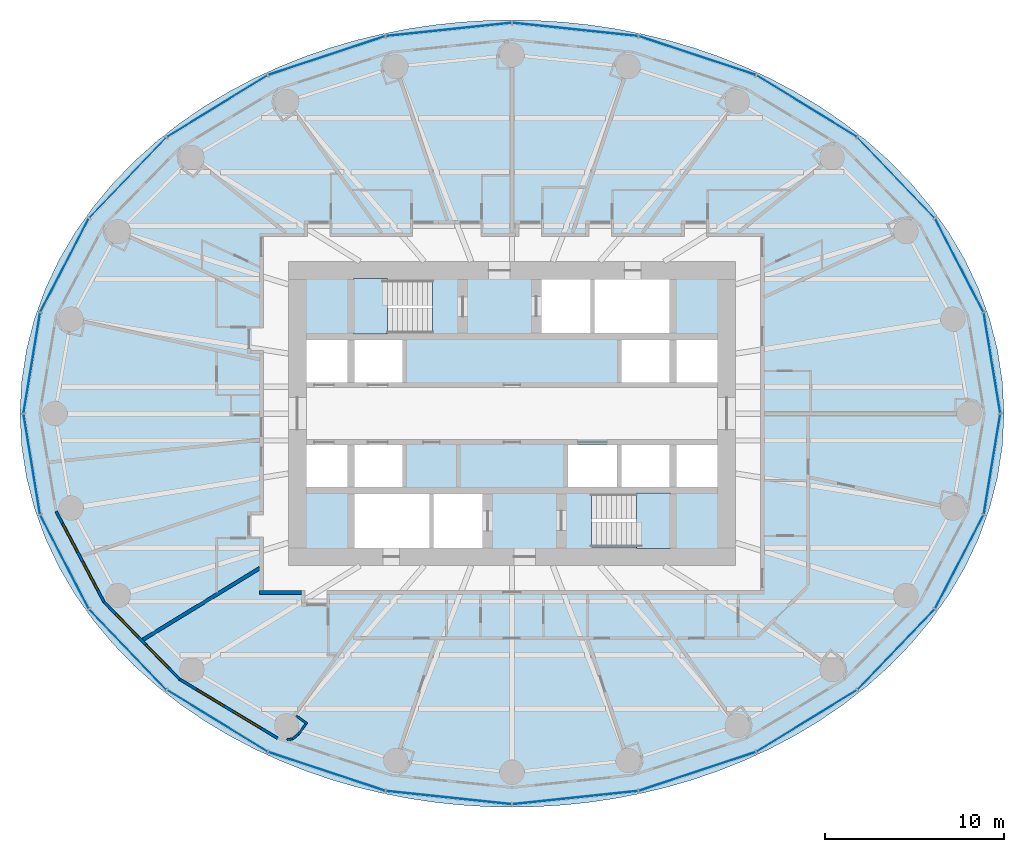
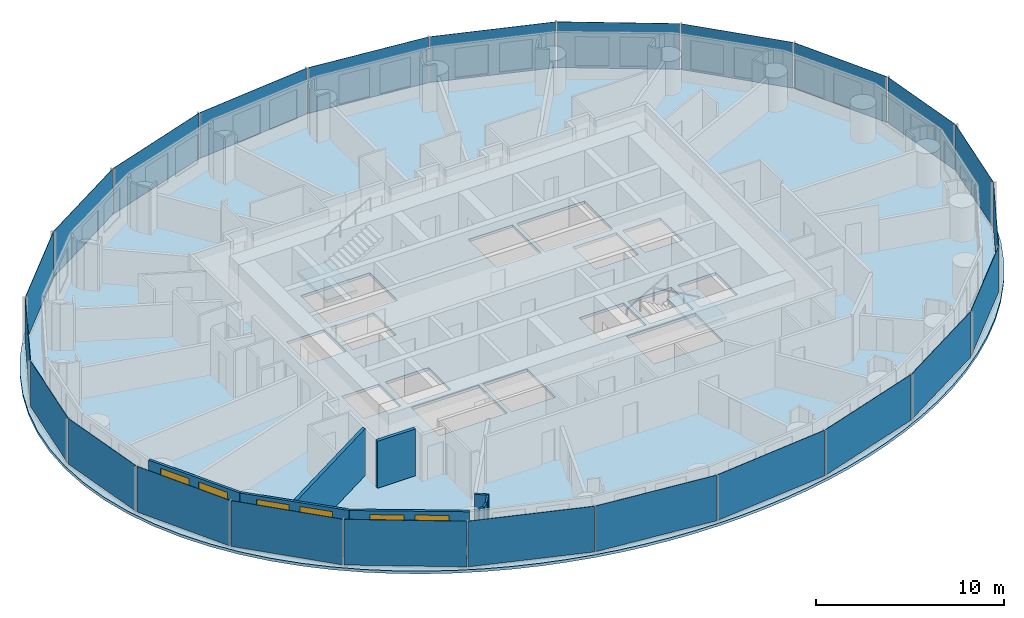
# One storey, part 5 of 14: 24 plates, 9 walls, 6 windows, 3 slabs, 6 openings, 6 elements without a shape of their own.
"""IFC4 building model written with IfcOpenShell, lengths in metres."""

from ifc_helpers import new_model, si_unit, direction, frame, frame_2d, origin, origin_2d, place, context, subcontext, project, spatial, polyline, rectangle, outline, extrude, material, layer, layer_set, type_object, element, fill, aggregate, save


model = new_model("IFC4")

# Units and contexts
model_context = context("Model", 3, precision=1e-05, world=origin(), true_north=direction((0.0, 1.0)))
body_context = subcontext(model_context, "Body", "Model", "MODEL_VIEW")
ifc_project = project(units=[si_unit("LENGTHUNIT", "METRE"), si_unit("AREAUNIT", "SQUARE_METRE"), si_unit("VOLUMEUNIT", "CUBIC_METRE"), si_unit("PLANEANGLEUNIT", "RADIAN"), si_unit("MASSUNIT", "GRAM", prefix="KILO")], contexts=[model_context])

# Site, building, storey
site_placement = place(None, origin())
site = spatial("IfcSite", under=ifc_project, at=site_placement, CompositionType="ELEMENT")
building_placement = place(site_placement, origin())
building = spatial("IfcBuilding", under=site, at=building_placement, Name="Hankou Lantern Tower", CompositionType="ELEMENT")
storey_placement = place(building_placement, frame((0.0, 0.0, 90.300048828125)))
storey = spatial("IfcBuildingStorey", under=building, at=storey_placement, Name="L23", CompositionType="ELEMENT", Elevation=90.300048828125)

# Curtain wall, plates
ifc_material_1 = material(Name="Glass, dark grey tinted laminated", Category="glass")
curtain_wall_type = type_object("IfcCurtainWallType", Name="CWA OUTER SKIN LOW-RISE", PredefinedType="USERDEFINED", material=ifc_material_1)
curtain_wall_1_placement = place(storey_placement, origin())
curtain_wall_1 = element("IfcCurtainWall", 1, at=curtain_wall_1_placement, inside=storey, type_object=curtain_wall_type, Name="CWA L23 OS1", ObjectType="OUTER SKIN LOW-RISE", PredefinedType="USERDEFINED")
ifc_material_2 = material(Name="Glass, dark grey tinted laminated", Category="glass")
ifc_layer_1 = layer(ifc_material_2, 0.02392578125)
ifc_layer_set_1 = layer_set([ifc_layer_1], Name="Glass, dark grey tinted laminated")
plate_type = type_object("IfcPlateType", Name="PN1 OUTER SKIN GLASS PANEL", PredefinedType="CURTAIN_PANEL", material=ifc_layer_set_1)
plate_1_placement = place(storey_placement, frame((26.8349609375, 2.826416015625, 0.080078125), z_axis=(0.0, 0.0, 1.0), x_axis=(-0.162381515188, 0.986728049427, 0.0)))
plate_1 = element("IfcPlate", 2, at=plate_1_placement, type_object=plate_type, Name="CWA glass panel 1", PredefinedType="CURTAIN_PANEL", context=body_context, shape_type="SweptSolid", body=[
    extrude(rectangle(XDim=5.648681640625, YDim=0.02392578125, at=origin_2d()), origin(), (0.0, 0.0, 1.0), 2.969970703125),
])
plate_2_placement = place(storey_placement, frame((25.006103515625, 8.286376953125, 0.080078125), z_axis=(0.0, 0.0, 1.0), x_axis=(-0.459791091957, 0.888027112062, 0.0)))
plate_2 = element("IfcPlate", 3, at=plate_2_placement, type_object=plate_type, Name="CWA glass panel 2", PredefinedType="CURTAIN_PANEL", context=body_context, shape_type="SweptSolid", body=[
    extrude(rectangle(XDim=5.8515625, YDim=0.02392578125, at=origin_2d()), origin(), (0.0, 0.0, 1.0), 2.969970703125),
])
plate_3_placement = place(storey_placement, frame((21.47314453125, 13.181640625, 0.080078125), z_axis=(0.0, 0.0, 1.0), x_axis=(-0.692215809936, 0.721690565599, 0.0)))
plate_3 = element("IfcPlate", 4, at=plate_3_placement, type_object=plate_type, Name="CWA glass panel 3", PredefinedType="CURTAIN_PANEL", context=body_context, shape_type="SweptSolid", body=[
    extrude(rectangle(XDim=6.1875, YDim=0.02392578125, at=origin_2d()), origin(), (0.0, 0.0, 1.0), 2.969970703125),
])
plate_4_placement = place(storey_placement, frame((16.47705078125, 17.1787109375, 0.080078125), z_axis=(0.0, 0.0, 1.0), x_axis=(-0.852237151549, 0.523155653242, 0.0)))
plate_4 = element("IfcPlate", 5, at=plate_4_placement, type_object=plate_type, Name="CWA glass panel 4", PredefinedType="CURTAIN_PANEL", context=body_context, shape_type="SweptSolid", body=[
    extrude(rectangle(XDim=6.554443359375, YDim=0.02392578125, at=origin_2d()), origin(), (0.0, 0.0, 1.0), 2.969970703125),
])
plate_5_placement = place(storey_placement, frame((10.35791015625, 20.0048828125, 0.080078125), z_axis=(0.0, 0.0, 1.0), x_axis=(-0.949240677293, 0.31455068999, 0.0)))
plate_5 = element("IfcPlate", 6, at=plate_5_placement, type_object=plate_type, Name="CWA glass panel 5", PredefinedType="CURTAIN_PANEL", context=body_context, shape_type="SweptSolid", body=[
    extrude(rectangle(XDim=6.856201171875, YDim=0.02392578125, at=origin_2d()), origin(), (0.0, 0.0, 1.0), 2.969970703125),
])
plate_6_placement = place(storey_placement, frame((3.532958984375, 21.468017578125, 0.080078125), z_axis=(0.0, 0.0, 1.0), x_axis=(-0.994499359107, 0.104742659579, 0.0)))
plate_6 = element("IfcPlate", 7, at=plate_6_placement, type_object=plate_type, Name="CWA glass panel 6", PredefinedType="CURTAIN_PANEL", context=body_context, shape_type="SweptSolid", body=[
    extrude(rectangle(XDim=7.02490234375, YDim=0.02392578125, at=origin_2d()), origin(), (0.0, 0.0, 1.0), 2.969970703125),
])
aggregate(curtain_wall_1, [plate_1, plate_2, plate_3, plate_4, plate_5, plate_6])

curtain_wall_2_placement = place(storey_placement, origin())
curtain_wall_2 = element("IfcCurtainWall", 8, at=curtain_wall_2_placement, inside=storey, type_object=curtain_wall_type, Name="CWA L23 OS2", ObjectType="OUTER SKIN LOW-RISE", PredefinedType="USERDEFINED")
plate_7_placement = place(storey_placement, frame((-3.532958984375, 21.468017578125, 0.080078125), z_axis=(0.0, 0.0, 1.0), x_axis=(-0.994499359107, -0.104742659579, 0.0)))
plate_7 = element("IfcPlate", 9, at=plate_7_placement, type_object=plate_type, Name="CWA glass panel 1", PredefinedType="CURTAIN_PANEL", context=body_context, shape_type="SweptSolid", body=[
    extrude(rectangle(XDim=7.02490234375, YDim=0.02392578125, at=origin_2d()), origin(), (0.0, 0.0, 1.0), 2.969970703125),
])
plate_8_placement = place(storey_placement, frame((-10.35791015625, 20.0048828125, 0.080078125), z_axis=(0.0, 0.0, 1.0), x_axis=(-0.949240677293, -0.31455068999, 0.0)))
plate_8 = element("IfcPlate", 10, at=plate_8_placement, type_object=plate_type, Name="CWA glass panel 2", PredefinedType="CURTAIN_PANEL", context=body_context, shape_type="SweptSolid", body=[
    extrude(rectangle(XDim=6.856201171875, YDim=0.02392578125, at=origin_2d()), origin(), (0.0, 0.0, 1.0), 2.969970703125),
])
plate_9_placement = place(storey_placement, frame((-16.47705078125, 17.1787109375, 0.080078125), z_axis=(0.0, 0.0, 1.0), x_axis=(-0.852237151549, -0.523155653242, 0.0)))
plate_9 = element("IfcPlate", 11, at=plate_9_placement, type_object=plate_type, Name="CWA glass panel 3", PredefinedType="CURTAIN_PANEL", context=body_context, shape_type="SweptSolid", body=[
    extrude(rectangle(XDim=6.554443359375, YDim=0.02392578125, at=origin_2d()), origin(), (0.0, 0.0, 1.0), 2.969970703125),
])
plate_10_placement = place(storey_placement, frame((-21.47314453125, 13.181640625, 0.080078125), z_axis=(0.0, 0.0, 1.0), x_axis=(-0.692215809936, -0.721690565599, 0.0)))
plate_10 = element("IfcPlate", 12, at=plate_10_placement, type_object=plate_type, Name="CWA glass panel 4", PredefinedType="CURTAIN_PANEL", context=body_context, shape_type="SweptSolid", body=[
    extrude(rectangle(XDim=6.1875, YDim=0.02392578125, at=origin_2d()), origin(), (0.0, 0.0, 1.0), 2.969970703125),
])
plate_11_placement = place(storey_placement, frame((-25.006103515625, 8.286376953125, 0.080078125), z_axis=(0.0, 0.0, 1.0), x_axis=(-0.459791091957, -0.888027112062, 0.0)))
plate_11 = element("IfcPlate", 13, at=plate_11_placement, type_object=plate_type, Name="CWA glass panel 5", PredefinedType="CURTAIN_PANEL", context=body_context, shape_type="SweptSolid", body=[
    extrude(rectangle(XDim=5.8515625, YDim=0.02392578125, at=origin_2d()), origin(), (0.0, 0.0, 1.0), 2.969970703125),
])
plate_12_placement = place(storey_placement, frame((-26.8349609375, 2.826416015625, 0.080078125), z_axis=(0.0, 0.0, 1.0), x_axis=(-0.162381515188, -0.986728049427, 0.0)))
plate_12 = element("IfcPlate", 14, at=plate_12_placement, type_object=plate_type, Name="CWA glass panel 6", PredefinedType="CURTAIN_PANEL", context=body_context, shape_type="SweptSolid", body=[
    extrude(rectangle(XDim=5.648681640625, YDim=0.02392578125, at=origin_2d()), origin(), (0.0, 0.0, 1.0), 2.969970703125),
])
aggregate(curtain_wall_2, [plate_7, plate_8, plate_9, plate_10, plate_11, plate_12])

curtain_wall_3_placement = place(storey_placement, origin())
curtain_wall_3 = element("IfcCurtainWall", 15, at=curtain_wall_3_placement, inside=storey, type_object=curtain_wall_type, Name="CWA L23 OS3", ObjectType="OUTER SKIN LOW-RISE", PredefinedType="USERDEFINED")
plate_13_placement = place(storey_placement, frame((-26.8349609375, -2.826416015625, 0.080078125), z_axis=(0.0, 0.0, 1.0), x_axis=(0.162381515188, -0.986728049427, 0.0)))
plate_13 = element("IfcPlate", 16, at=plate_13_placement, type_object=plate_type, Name="CWA glass panel 1", PredefinedType="CURTAIN_PANEL", context=body_context, shape_type="SweptSolid", body=[
    extrude(rectangle(XDim=5.648681640625, YDim=0.02392578125, at=origin_2d()), origin(), (0.0, 0.0, 1.0), 2.969970703125),
])
plate_14_placement = place(storey_placement, frame((-25.006103515625, -8.286376953125, 0.080078125), z_axis=(0.0, 0.0, 1.0), x_axis=(0.459791091957, -0.888027112062, 0.0)))
plate_14 = element("IfcPlate", 17, at=plate_14_placement, type_object=plate_type, Name="CWA glass panel 2", PredefinedType="CURTAIN_PANEL", context=body_context, shape_type="SweptSolid", body=[
    extrude(rectangle(XDim=5.8515625, YDim=0.02392578125, at=origin_2d()), origin(), (0.0, 0.0, 1.0), 2.969970703125),
])
plate_15_placement = place(storey_placement, frame((-21.47314453125, -13.181640625, 0.080078125), z_axis=(0.0, 0.0, 1.0), x_axis=(0.692215809936, -0.721690565599, 0.0)))
plate_15 = element("IfcPlate", 18, at=plate_15_placement, type_object=plate_type, Name="CWA glass panel 3", PredefinedType="CURTAIN_PANEL", context=body_context, shape_type="SweptSolid", body=[
    extrude(rectangle(XDim=6.1875, YDim=0.02392578125, at=origin_2d()), origin(), (0.0, 0.0, 1.0), 2.969970703125),
])
plate_16_placement = place(storey_placement, frame((-16.47705078125, -17.1787109375, 0.080078125), z_axis=(0.0, 0.0, 1.0), x_axis=(0.852237151549, -0.523155653242, 0.0)))
plate_16 = element("IfcPlate", 19, at=plate_16_placement, type_object=plate_type, Name="CWA glass panel 4", PredefinedType="CURTAIN_PANEL", context=body_context, shape_type="SweptSolid", body=[
    extrude(rectangle(XDim=6.554443359375, YDim=0.02392578125, at=origin_2d()), origin(), (0.0, 0.0, 1.0), 2.969970703125),
])
plate_17_placement = place(storey_placement, frame((-10.35791015625, -20.0048828125, 0.080078125), z_axis=(0.0, 0.0, 1.0), x_axis=(0.949240677293, -0.31455068999, 0.0)))
plate_17 = element("IfcPlate", 20, at=plate_17_placement, type_object=plate_type, Name="CWA glass panel 5", PredefinedType="CURTAIN_PANEL", context=body_context, shape_type="SweptSolid", body=[
    extrude(rectangle(XDim=6.856201171875, YDim=0.02392578125, at=origin_2d()), origin(), (0.0, 0.0, 1.0), 2.969970703125),
])
plate_18_placement = place(storey_placement, frame((-3.532958984375, -21.468017578125, 0.080078125), z_axis=(0.0, 0.0, 1.0), x_axis=(0.994499359107, -0.104742659579, 0.0)))
plate_18 = element("IfcPlate", 21, at=plate_18_placement, type_object=plate_type, Name="CWA glass panel 6", PredefinedType="CURTAIN_PANEL", context=body_context, shape_type="SweptSolid", body=[
    extrude(rectangle(XDim=7.02490234375, YDim=0.02392578125, at=origin_2d()), origin(), (0.0, 0.0, 1.0), 2.969970703125),
])
aggregate(curtain_wall_3, [plate_13, plate_14, plate_15, plate_16, plate_17, plate_18])

curtain_wall_4_placement = place(storey_placement, origin())
curtain_wall_4 = element("IfcCurtainWall", 22, at=curtain_wall_4_placement, inside=storey, type_object=curtain_wall_type, Name="CWA L23 OS4", ObjectType="OUTER SKIN LOW-RISE", PredefinedType="USERDEFINED")
plate_19_placement = place(storey_placement, frame((3.532958984375, -21.468017578125, 0.080078125), z_axis=(0.0, 0.0, 1.0), x_axis=(0.994499359107, 0.104742659579, 0.0)))
plate_19 = element("IfcPlate", 23, at=plate_19_placement, type_object=plate_type, Name="CWA glass panel 1", PredefinedType="CURTAIN_PANEL", context=body_context, shape_type="SweptSolid", body=[
    extrude(rectangle(XDim=7.02490234375, YDim=0.02392578125, at=origin_2d()), origin(), (0.0, 0.0, 1.0), 2.969970703125),
])
plate_20_placement = place(storey_placement, frame((10.35791015625, -20.0048828125, 0.080078125), z_axis=(0.0, 0.0, 1.0), x_axis=(0.949240677293, 0.31455068999, 0.0)))
plate_20 = element("IfcPlate", 24, at=plate_20_placement, type_object=plate_type, Name="CWA glass panel 2", PredefinedType="CURTAIN_PANEL", context=body_context, shape_type="SweptSolid", body=[
    extrude(rectangle(XDim=6.856201171875, YDim=0.02392578125, at=origin_2d()), origin(), (0.0, 0.0, 1.0), 2.969970703125),
])
plate_21_placement = place(storey_placement, frame((16.47705078125, -17.1787109375, 0.080078125), z_axis=(0.0, 0.0, 1.0), x_axis=(0.852237151549, 0.523155653242, 0.0)))
plate_21 = element("IfcPlate", 25, at=plate_21_placement, type_object=plate_type, Name="CWA glass panel 3", PredefinedType="CURTAIN_PANEL", context=body_context, shape_type="SweptSolid", body=[
    extrude(rectangle(XDim=6.554443359375, YDim=0.02392578125, at=origin_2d()), origin(), (0.0, 0.0, 1.0), 2.969970703125),
])
plate_22_placement = place(storey_placement, frame((21.47314453125, -13.181640625, 0.080078125), z_axis=(0.0, 0.0, 1.0), x_axis=(0.692215809936, 0.721690565599, 0.0)))
plate_22 = element("IfcPlate", 26, at=plate_22_placement, type_object=plate_type, Name="CWA glass panel 4", PredefinedType="CURTAIN_PANEL", context=body_context, shape_type="SweptSolid", body=[
    extrude(rectangle(XDim=6.1875, YDim=0.02392578125, at=origin_2d()), origin(), (0.0, 0.0, 1.0), 2.969970703125),
])
plate_23_placement = place(storey_placement, frame((25.006103515625, -8.286376953125, 0.080078125), z_axis=(0.0, 0.0, 1.0), x_axis=(0.459791091957, 0.888027112062, 0.0)))
plate_23 = element("IfcPlate", 27, at=plate_23_placement, type_object=plate_type, Name="CWA glass panel 5", PredefinedType="CURTAIN_PANEL", context=body_context, shape_type="SweptSolid", body=[
    extrude(rectangle(XDim=5.8515625, YDim=0.02392578125, at=origin_2d()), origin(), (0.0, 0.0, 1.0), 2.969970703125),
])
plate_24_placement = place(storey_placement, frame((26.8349609375, -2.826416015625, 0.080078125), z_axis=(0.0, 0.0, 1.0), x_axis=(0.162381515188, 0.986728049427, 0.0)))
plate_24 = element("IfcPlate", 28, at=plate_24_placement, type_object=plate_type, Name="CWA glass panel 6", PredefinedType="CURTAIN_PANEL", context=body_context, shape_type="SweptSolid", body=[
    extrude(rectangle(XDim=5.648681640625, YDim=0.02392578125, at=origin_2d()), origin(), (0.0, 0.0, 1.0), 2.969970703125),
])
aggregate(curtain_wall_4, [plate_19, plate_20, plate_21, plate_22, plate_23, plate_24])

# Slab
ifc_material_3 = material(Name="Concrete C50", Category="concrete")
ifc_layer_2 = layer(ifc_material_3, 0.179931640625)
ifc_layer_set_2 = layer_set([ifc_layer_2], Name="Concrete C50")
slab_type_1 = type_object("IfcSlabType", Name="S1 CONCRETE FLOOR SLAB 180", PredefinedType="FLOOR", material=ifc_layer_set_2)
slab_1_placement = place(storey_placement, frame((0.0, 0.0, -0.179931640625)))
element("IfcSlab", 29, at=slab_1_placement, inside=storey, type_object=slab_type_1, Name="Floor slab L23", PredefinedType="FLOOR", context=body_context, shape_type="SweptSolid", body=[
    extrude(outline(polyline([(27.5, 0.0), (27.408203125, 1.79638671875), (27.135009765625, 3.572509765625), (26.6875, 5.308349609375), (26.076171875, 6.987060546875), (25.3154296875, 8.593505859375), (24.420654296875, 10.115478515625), (23.40966796875, 11.54443359375), (22.29931640625, 12.87451171875), (21.1064453125, 14.102783203125), (19.846435546875, 15.228759765625), (18.533447265625, 16.25341796875), (17.17919921875, 17.17919921875), (15.794189453125, 18.009765625), (14.38671875, 18.749267578125), (12.964111328125, 19.402099609375), (11.53125, 19.972412109375), (10.09228515625, 20.46484375), (8.650146484375, 20.88330078125), (7.20703125, 21.23095703125), (5.763916015625, 21.51123046875), (4.32177734375, 21.7265625), (2.88037109375, 21.87890625), (1.43994140625, 21.9697265625), (0.0, 22.0), (-1.43994140625, 21.9697265625), (-2.88037109375, 21.87890625), (-4.32177734375, 21.7265625), (-5.763916015625, 21.51123046875), (-7.20703125, 21.23095703125), (-8.650146484375, 20.88330078125), (-10.09228515625, 20.46484375), (-11.53125, 19.972412109375), (-12.964111328125, 19.402099609375), (-14.38671875, 18.749267578125), (-15.794189453125, 18.009765625), (-17.17919921875, 17.17919921875), (-18.533447265625, 16.25341796875), (-19.846435546875, 15.228759765625), (-21.1064453125, 14.102783203125), (-22.29931640625, 12.87451171875), (-23.40966796875, 11.54443359375), (-24.420654296875, 10.115478515625), (-25.3154296875, 8.593505859375), (-26.076171875, 6.987060546875), (-26.6875, 5.308349609375), (-27.135009765625, 3.572509765625), (-27.408203125, 1.79638671875), (-27.5, 0.0), (-27.408203125, -1.79638671875), (-27.135009765625, -3.572509765625), (-26.6875, -5.308349609375), (-26.076171875, -6.987060546875), (-25.3154296875, -8.593505859375), (-24.420654296875, -10.115478515625), (-23.40966796875, -11.54443359375), (-22.29931640625, -12.87451171875), (-21.1064453125, -14.102783203125), (-19.846435546875, -15.228759765625), (-18.533447265625, -16.25341796875), (-17.17919921875, -17.17919921875), (-15.794189453125, -18.009765625), (-14.38671875, -18.749267578125), (-12.964111328125, -19.402099609375), (-11.53125, -19.972412109375), (-10.09228515625, -20.46484375), (-8.650146484375, -20.88330078125), (-7.20703125, -21.23095703125), (-5.763916015625, -21.51123046875), (-4.32177734375, -21.7265625), (-2.88037109375, -21.87890625), (-1.43994140625, -21.9697265625), (0.0, -22.0), (1.43994140625, -21.9697265625), (2.88037109375, -21.87890625), (4.32177734375, -21.7265625), (5.763916015625, -21.51123046875), (7.20703125, -21.23095703125), (8.650146484375, -20.88330078125), (10.09228515625, -20.46484375), (11.53125, -19.972412109375), (12.964111328125, -19.402099609375), (14.38671875, -18.749267578125), (15.794189453125, -18.009765625), (17.17919921875, -17.17919921875), (18.533447265625, -16.25341796875), (19.846435546875, -15.228759765625), (21.1064453125, -14.102783203125), (22.29931640625, -12.87451171875), (23.40966796875, -11.54443359375), (24.420654296875, -10.115478515625), (25.3154296875, -8.593505859375), (26.076171875, -6.987060546875), (26.6875, -5.308349609375), (27.135009765625, -3.572509765625), (27.408203125, -1.79638671875), (27.5, 0.0)]), holes=[polyline([(-11.5, 4.10009765625), (-9.199951171875, 4.10009765625), (-9.199951171875, 1.75), (-11.5, 1.75), (-11.5, 4.10009765625)]), polyline([(-8.800048828125, 4.10009765625), (-6.125, 4.10009765625), (-6.125, 1.75), (-8.800048828125, 1.75), (-8.800048828125, 4.10009765625)]), polyline([(6.125, 4.10009765625), (8.800048828125, 4.10009765625), (8.800048828125, 1.75), (6.125, 1.75), (6.125, 4.10009765625)]), polyline([(9.199951171875, 4.10009765625), (11.5, 4.10009765625), (11.5, 1.75), (9.199951171875, 1.75), (9.199951171875, 4.10009765625)]), polyline([(-11.5, -1.75), (-9.199951171875, -1.75), (-9.199951171875, -4.10009765625), (-11.5, -4.10009765625), (-11.5, -1.75)]), polyline([(-8.800048828125, -1.75), (-6.125, -1.75), (-6.125, -4.10009765625), (-8.800048828125, -4.10009765625), (-8.800048828125, -1.75)]), polyline([(3.125, -1.75), (5.875, -1.75), (5.875, -4.10009765625), (3.125, -4.10009765625), (3.125, -1.75)]), polyline([(6.125, -1.75), (8.800048828125, -1.75), (8.800048828125, -4.10009765625), (6.125, -4.10009765625), (6.125, -1.75)]), polyline([(9.199951171875, -1.75), (11.5, -1.75), (11.5, -4.10009765625), (9.199951171875, -4.10009765625), (9.199951171875, -1.75)]), polyline([(1.64990234375, 7.5), (4.375, 7.5), (4.375, 4.5), (1.64990234375, 4.5), (1.64990234375, 7.5)]), polyline([(-4.375, -4.5), (-1.64990234375, -4.5), (-1.64990234375, -7.5), (-4.375, -7.5), (-4.375, -4.5)]), polyline([(-8.699951171875, 7.449951171875), (-4.449951171875, 7.449951171875), (-4.449951171875, 4.5), (-8.699951171875, 4.5), (-8.699951171875, 7.449951171875)]), polyline([(4.449951171875, -4.5), (8.699951171875, -4.5), (8.699951171875, -7.449951171875), (4.449951171875, -7.449951171875), (4.449951171875, -4.5)]), polyline([(4.625, 7.5), (8.800048828125, 7.5), (8.800048828125, 4.5), (4.625, 4.5), (4.625, 7.5)]), polyline([(-8.800048828125, -4.5), (-4.625, -4.5), (-4.625, -7.5), (-8.800048828125, -7.5), (-8.800048828125, -4.5)])]), origin(), (0.0, 0.0, 1.0), 0.179931640625),
])

# Stair, slab
ifc_material_4 = material(Name="Concrete C40", Category="concrete")
stair_type = type_object("IfcStairType", Name="ST33 CORE STAIR 3300 RISE", PredefinedType="HALF_TURN_STAIR", material=ifc_material_4)
stair_1_placement = place(storey_placement, origin())
stair_1 = element("IfcStair", 30, at=stair_1_placement, inside=storey, type_object=stair_type, Name="Stair STA L23", PredefinedType="HALF_TURN_STAIR")
ifc_material_5 = material(Name="Concrete C40", Category="concrete")
ifc_layer_3 = layer(ifc_material_5, 0.199951171875)
ifc_layer_set_3 = layer_set([ifc_layer_3], Name="Concrete C40")
slab_type_2 = type_object("IfcSlabType", Name="SL1 STAIR LANDING 200", PredefinedType="LANDING", material=ifc_layer_set_3)
slab_2_placement = place(storey_placement, frame((0.0, 0.0, 1.371337890625)))
slab_2 = element("IfcSlab", 31, at=slab_2_placement, type_object=slab_type_2, Name="STA landing 1", PredefinedType="LANDING", context=body_context, shape_type="SweptSolid", body=[
    extrude(outline(polyline([(-8.85009765625, 4.449951171875), (-6.949951171875, 4.449951171875), (-6.949951171875, 7.550048828125), (-8.85009765625, 7.550048828125), (-8.85009765625, 4.449951171875)])), origin(), (0.0, 0.0, 1.0), 0.199951171875),
])
aggregate(stair_1, [slab_2])

stair_2_placement = place(storey_placement, origin())
stair_2 = element("IfcStair", 32, at=stair_2_placement, inside=storey, type_object=stair_type, Name="Stair STB L23", PredefinedType="HALF_TURN_STAIR")
slab_3_placement = place(storey_placement, frame((0.0, 0.0, 1.371337890625)))
slab_3 = element("IfcSlab", 33, at=slab_3_placement, type_object=slab_type_2, Name="STB landing 1", PredefinedType="LANDING", context=body_context, shape_type="SweptSolid", body=[
    extrude(outline(polyline([(8.85009765625, -4.449951171875), (6.949951171875, -4.449951171875), (6.949951171875, -7.550048828125), (8.85009765625, -7.550048828125), (8.85009765625, -4.449951171875)])), origin(), (0.0, 0.0, 1.0), 0.199951171875),
])
aggregate(stair_2, [slab_3])

# Wall, openings, windows
ifc_material_6 = material(Name="Aluminium spandrel panel on steel studs", Category="steel")
ifc_layer_4 = layer(ifc_material_6, 0.14990234375)
ifc_layer_set_4 = layer_set([ifc_layer_4], Name="Aluminium spandrel panel on steel studs")
wall_type_1 = type_object("IfcWallType", Name="EW1 INNER SKIN WALL 150", PredefinedType="ELEMENTEDWALL", material=ifc_layer_set_4)
wall_1_placement = place(storey_placement, frame((-25.482421875, -5.46240234375, 0.0), z_axis=(0.0, 0.0, 1.0), x_axis=(0.467296867008, -0.884100468321, 0.0)))
wall_1 = element("IfcWall", 34, at=wall_1_placement, inside=storey, type_object=wall_type_1, Name="Inner skin R14-R15 L23", PredefinedType="ELEMENTEDWALL", context=body_context, shape_type="SweptSolid", body=[
    extrude(rectangle(XDim=5.734375, YDim=0.14990234375, at=frame_2d((2.8671875, 0.0))), origin(), (0.0, 0.0, 1.0), 3.050048828125),
])
opening_1_placement = place(wall_1_placement, frame((0.76708984375, 0.0, 0.89990234375)))
opening_1 = element("IfcOpeningElement", 35, at=opening_1_placement, cuts=wall_1, Name="Opening W1", PredefinedType="OPENING", context=body_context, shape_type="SweptSolid", body=[
    extrude(rectangle(XDim=1.800048828125, YDim=1.89990234375, at=frame_2d((0.89990234375, 0.949951171875))), frame((0.0, 0.0849609375, 0.0), z_axis=(0.0, -1.0, 0.0), x_axis=(1.0, 0.0, 0.0)), (0.0, 0.0, 1.0), 0.169921875),
])
opening_2_placement = place(wall_1_placement, frame((3.167236328125, 0.0, 0.89990234375)))
opening_2 = element("IfcOpeningElement", 36, at=opening_2_placement, cuts=wall_1, Name="Opening W1", PredefinedType="OPENING", context=body_context, shape_type="SweptSolid", body=[
    extrude(rectangle(XDim=1.800048828125, YDim=1.89990234375, at=frame_2d((0.89990234375, 0.949951171875))), frame((0.0, 0.0849609375, 0.0), z_axis=(0.0, -1.0, 0.0), x_axis=(1.0, 0.0, 0.0)), (0.0, 0.0, 1.0), 0.169921875),
])
ifc_material_7 = material(Name="Aluminium framed double glazed window", Category="aluminium")
window_type = type_object("IfcWindowType", Name="W1 GUEST ROOM WINDOW 1800X1900", PartitioningType="DOUBLE_PANEL_VERTICAL", PredefinedType="WINDOW", material=ifc_material_7)
window_1_placement = place(opening_1_placement, origin())
window_1 = element("IfcWindow", 37, at=window_1_placement, inside=storey, type_object=window_type, Name="Window R14.1 L23", OverallHeight=1.89990234375, OverallWidth=1.800048828125, PartitioningType="SINGLE_PANEL", PredefinedType="WINDOW", context=body_context, shape_type="SweptSolid", body=[
    extrude(rectangle(XDim=1.800048828125, YDim=1.89990234375, at=frame_2d((0.89990234375, 0.949951171875))), frame((0.0, 0.030029296875, 0.0), z_axis=(0.0, -1.0, 0.0), x_axis=(1.0, 0.0, 0.0)), (0.0, 0.0, 1.0), 0.06005859375),
])
fill(opening_1, window_1)
window_2_placement = place(opening_2_placement, origin())
window_2 = element("IfcWindow", 38, at=window_2_placement, inside=storey, type_object=window_type, Name="Window R14.2 L23", OverallHeight=1.89990234375, OverallWidth=1.800048828125, PartitioningType="SINGLE_PANEL", PredefinedType="WINDOW", context=body_context, shape_type="SweptSolid", body=[
    extrude(rectangle(XDim=1.800048828125, YDim=1.89990234375, at=frame_2d((0.89990234375, 0.949951171875))), frame((0.0, 0.030029296875, 0.0), z_axis=(0.0, -1.0, 0.0), x_axis=(1.0, 0.0, 0.0)), (0.0, 0.0, 1.0), 0.06005859375),
])
fill(opening_2, window_2)

wall_2_placement = place(storey_placement, frame((-22.802734375, -10.5322265625, 0.0), z_axis=(0.0, 0.0, 1.0), x_axis=(0.699602905915, -0.714531856557, 0.0)))
wall_2 = element("IfcWall", 39, at=wall_2_placement, inside=storey, type_object=wall_type_1, Name="Inner skin R15-R16 L23", PredefinedType="ELEMENTEDWALL", context=body_context, shape_type="SweptSolid", body=[
    extrude(rectangle(XDim=6.05078125, YDim=0.14990234375, at=frame_2d((3.025390625, 0.0))), origin(), (0.0, 0.0, 1.0), 3.050048828125),
])
opening_3_placement = place(wall_2_placement, frame((0.925537109375, 0.0, 0.89990234375)))
opening_3 = element("IfcOpeningElement", 40, at=opening_3_placement, cuts=wall_2, Name="Opening W1", PredefinedType="OPENING", context=body_context, shape_type="SweptSolid", body=[
    extrude(rectangle(XDim=1.800048828125, YDim=1.89990234375, at=frame_2d((0.89990234375, 0.949951171875))), frame((0.0, 0.0849609375, 0.0), z_axis=(0.0, -1.0, 0.0), x_axis=(1.0, 0.0, 0.0)), (0.0, 0.0, 1.0), 0.169921875),
])
opening_4_placement = place(wall_2_placement, frame((3.325439453125, 0.0, 0.89990234375)))
opening_4 = element("IfcOpeningElement", 41, at=opening_4_placement, cuts=wall_2, Name="Opening W1", PredefinedType="OPENING", context=body_context, shape_type="SweptSolid", body=[
    extrude(rectangle(XDim=1.800048828125, YDim=1.89990234375, at=frame_2d((0.89990234375, 0.949951171875))), frame((0.0, 0.0849609375, 0.0), z_axis=(0.0, -1.0, 0.0), x_axis=(1.0, 0.0, 0.0)), (0.0, 0.0, 1.0), 0.169921875),
])
window_3_placement = place(opening_3_placement, origin())
window_3 = element("IfcWindow", 42, at=window_3_placement, inside=storey, type_object=window_type, Name="Window R15.1 L23", OverallHeight=1.89990234375, OverallWidth=1.800048828125, PartitioningType="SINGLE_PANEL", PredefinedType="WINDOW", context=body_context, shape_type="SweptSolid", body=[
    extrude(rectangle(XDim=1.800048828125, YDim=1.89990234375, at=frame_2d((0.89990234375, 0.949951171875))), frame((0.0, 0.030029296875, 0.0), z_axis=(0.0, -1.0, 0.0), x_axis=(1.0, 0.0, 0.0)), (0.0, 0.0, 1.0), 0.06005859375),
])
fill(opening_3, window_3)
window_4_placement = place(opening_4_placement, origin())
window_4 = element("IfcWindow", 43, at=window_4_placement, inside=storey, type_object=window_type, Name="Window R15.2 L23", OverallHeight=1.89990234375, OverallWidth=1.800048828125, PartitioningType="SINGLE_PANEL", PredefinedType="WINDOW", context=body_context, shape_type="SweptSolid", body=[
    extrude(rectangle(XDim=1.800048828125, YDim=1.89990234375, at=frame_2d((0.89990234375, 0.949951171875))), frame((0.0, 0.030029296875, 0.0), z_axis=(0.0, -1.0, 0.0), x_axis=(1.0, 0.0, 0.0)), (0.0, 0.0, 1.0), 0.06005859375),
])
fill(opening_4, window_4)

wall_3_placement = place(storey_placement, frame((-18.569580078125, -14.855712890625, 0.0), z_axis=(0.0, 0.0, 1.0), x_axis=(0.856983180864, -0.515344377787, 0.0)))
wall_3 = element("IfcWall", 44, at=wall_3_placement, inside=storey, type_object=wall_type_1, Name="Inner skin R16-R17 L23", PredefinedType="ELEMENTEDWALL", context=body_context, shape_type="SweptSolid", body=[
    extrude(rectangle(XDim=6.386474609375, YDim=0.14990234375, at=frame_2d((3.193359375, 0.0))), origin(), (0.0, 0.0, 1.0), 3.050048828125),
])
opening_5_placement = place(wall_3_placement, frame((1.09326171875, 0.0, 0.89990234375)))
opening_5 = element("IfcOpeningElement", 45, at=opening_5_placement, cuts=wall_3, Name="Opening W1", PredefinedType="OPENING", context=body_context, shape_type="SweptSolid", body=[
    extrude(rectangle(XDim=1.800048828125, YDim=1.89990234375, at=frame_2d((0.89990234375, 0.949951171875))), frame((0.0, 0.0849609375, 0.0), z_axis=(0.0, -1.0, 0.0), x_axis=(1.0, 0.0, 0.0)), (0.0, 0.0, 1.0), 0.169921875),
])
opening_6_placement = place(wall_3_placement, frame((3.4931640625, 0.0, 0.89990234375)))
opening_6 = element("IfcOpeningElement", 46, at=opening_6_placement, cuts=wall_3, Name="Opening W1", PredefinedType="OPENING", context=body_context, shape_type="SweptSolid", body=[
    extrude(rectangle(XDim=1.800048828125, YDim=1.89990234375, at=frame_2d((0.89990234375, 0.949951171875))), frame((0.0, 0.0849609375, 0.0), z_axis=(0.0, -1.0, 0.0), x_axis=(1.0, 0.0, 0.0)), (0.0, 0.0, 1.0), 0.169921875),
])
window_5_placement = place(opening_5_placement, origin())
window_5 = element("IfcWindow", 47, at=window_5_placement, inside=storey, type_object=window_type, Name="Window R16.1 L23", OverallHeight=1.89990234375, OverallWidth=1.800048828125, PartitioningType="SINGLE_PANEL", PredefinedType="WINDOW", context=body_context, shape_type="SweptSolid", body=[
    extrude(rectangle(XDim=1.800048828125, YDim=1.89990234375, at=frame_2d((0.89990234375, 0.949951171875))), frame((0.0, 0.030029296875, 0.0), z_axis=(0.0, -1.0, 0.0), x_axis=(1.0, 0.0, 0.0)), (0.0, 0.0, 1.0), 0.06005859375),
])
fill(opening_5, window_5)
window_6_placement = place(opening_6_placement, origin())
window_6 = element("IfcWindow", 48, at=window_6_placement, inside=storey, type_object=window_type, Name="Window R16.2 L23", OverallHeight=1.89990234375, OverallWidth=1.800048828125, PartitioningType="SINGLE_PANEL", PredefinedType="WINDOW", context=body_context, shape_type="SweptSolid", body=[
    extrude(rectangle(XDim=1.800048828125, YDim=1.89990234375, at=frame_2d((0.89990234375, 0.949951171875))), frame((0.0, 0.030029296875, 0.0), z_axis=(0.0, -1.0, 0.0), x_axis=(1.0, 0.0, 0.0)), (0.0, 0.0, 1.0), 0.06005859375),
])
fill(opening_6, window_6)

# Walls
ifc_material_8 = material(Name="Masonry lightweight concrete block", Category="masonry")
ifc_layer_5 = layer(ifc_material_8, 0.199951171875)
ifc_layer_set_5 = layer_set([ifc_layer_5], Name="Masonry lightweight concrete block")
wall_type_2 = type_object("IfcWallType", Name="IW1 GUEST ROOM PARTY WALL 200", PredefinedType="PARTITIONING", material=ifc_layer_set_5)
wall_4_placement = place(storey_placement, frame((-14.10009765625, -8.638916015625, 0.0), z_axis=(0.0, 0.0, 1.0), x_axis=(-0.852672493023, -0.522445805459, 0.0)))
element("IfcWall", 49, at=wall_4_placement, inside=storey, type_object=wall_type_2, Name="Party wall R15-R16", PredefinedType="PARTITIONING", context=body_context, shape_type="SweptSolid", body=[
    extrude(rectangle(XDim=7.63330078125, YDim=0.199951171875, at=frame_2d((3.816650390625, 0.0))), origin(), (0.0, 0.0, 1.0), 3.050048828125),
])
ifc_material_9 = material(Name="Masonry lightweight concrete block", Category="masonry")
ifc_layer_6 = layer(ifc_material_9, 0.199951171875)
ifc_layer_set_6 = layer_set([ifc_layer_6], Name="Masonry lightweight concrete block")
wall_type_3 = type_object("IfcWallType", Name="IW2 CORRIDOR WALL 200", PredefinedType="PARTITIONING", material=ifc_layer_set_6)
wall_5_placement = place(storey_placement, frame((-11.76904296875, -10.0, 0.0), z_axis=(0.0, 0.0, 1.0), x_axis=(-1.0, 0.0, 0.0)))
element("IfcWall", 50, at=wall_5_placement, inside=storey, type_object=wall_type_3, Name="Corridor wall south", PredefinedType="PARTITIONING", context=body_context, shape_type="SweptSolid", body=[
    extrude(rectangle(XDim=2.3310546875, YDim=0.199951171875, at=frame_2d((1.16552734375, 0.0))), origin(), (0.0, 0.0, 1.0), 3.050048828125),
])
ifc_material_10 = material(Name="Masonry lightweight concrete block", Category="masonry")
ifc_layer_7 = layer(ifc_material_10, 0.1201171875)
ifc_layer_set_7 = layer_set([ifc_layer_7], Name="Masonry lightweight concrete block")
wall_type_4 = type_object("IfcWallType", Name="IW4 PARTITION 120", PredefinedType="PARTITIONING", material=ifc_layer_set_7)
wall_6_placement = place(storey_placement, frame((-12.06494140625, -16.888671875, 0.0), z_axis=(0.0, 0.0, 1.0), x_axis=(0.810821798253, -0.585293098778, 0.0)))
element("IfcWall", 51, at=wall_6_placement, inside=storey, type_object=wall_type_4, Name="Column casing R17 return", PredefinedType="PARTITIONING", context=body_context, shape_type="SweptSolid", body=[
    extrude(rectangle(XDim=0.767578125, YDim=0.1201171875, at=frame_2d((0.3837890625, 0.0))), origin(), (0.0, 0.0, 1.0), 3.050048828125),
])
wall_7_placement = place(storey_placement, frame((-11.5263671875, -17.351318359375, 0.0), z_axis=(0.0, 0.0, 1.0), x_axis=(-0.585223113993, -0.810872312296, 0.0)))
element("IfcWall", 52, at=wall_7_placement, inside=storey, type_object=wall_type_4, Name="Column casing R17", PredefinedType="PARTITIONING", context=body_context, shape_type="SweptSolid", body=[
    extrude(rectangle(XDim=0.699951171875, YDim=0.1201171875, at=frame_2d((0.35009765625, 0.0))), origin(), (0.0, 0.0, 1.0), 3.050048828125),
])
wall_8_placement = place(storey_placement, frame((-11.93603515625, -17.9189453125, 0.0), z_axis=(0.0, 0.0, 1.0), x_axis=(-0.775023088441, -0.631932917629, 0.0)))
element("IfcWall", 53, at=wall_8_placement, inside=storey, type_object=wall_type_4, Name="Column casing R17", PredefinedType="PARTITIONING", context=body_context, shape_type="SweptSolid", body=[
    extrude(rectangle(XDim=0.41796875, YDim=0.1201171875, at=frame_2d((0.208984375, 0.0))), origin(), (0.0, 0.0, 1.0), 3.050048828125),
])
wall_9_placement = place(storey_placement, frame((-12.260009765625, -18.18310546875, 0.0), z_axis=(0.0, 0.0, 1.0), x_axis=(-0.987218661664, -0.159371622511, 0.0)))
element("IfcWall", 54, at=wall_9_placement, inside=storey, type_object=wall_type_4, Name="Column casing R17", PredefinedType="PARTITIONING", context=body_context, shape_type="SweptSolid", body=[
    extrude(rectangle(XDim=0.330810546875, YDim=0.1201171875, at=frame_2d((0.16552734375, 0.0))), origin(), (0.0, 0.0, 1.0), 3.050048828125),
])

save(model, "model.ifc")
